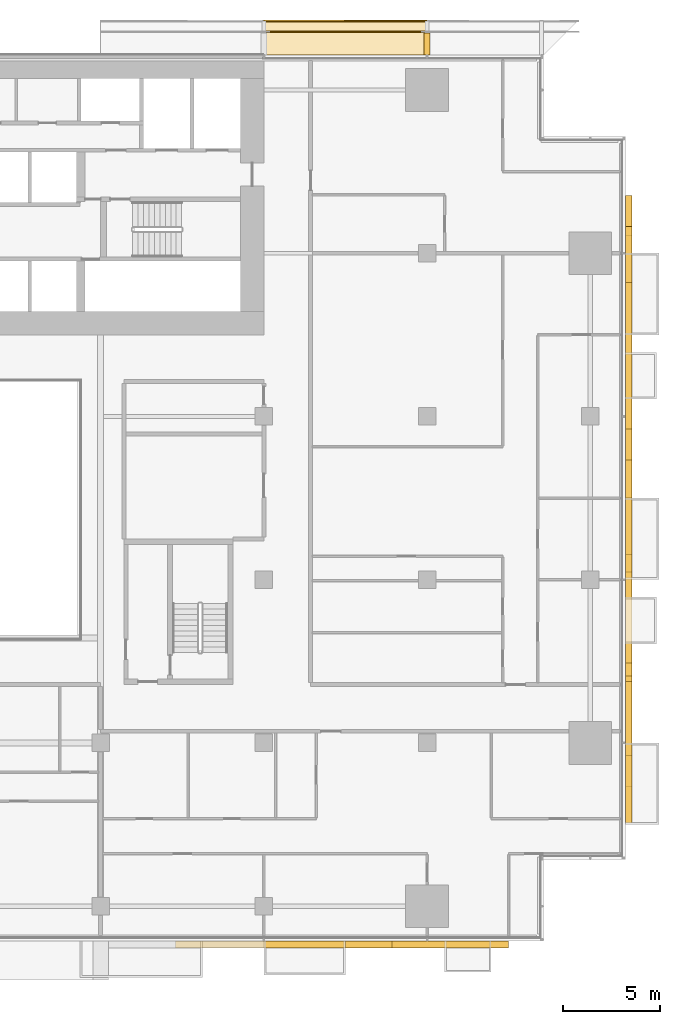
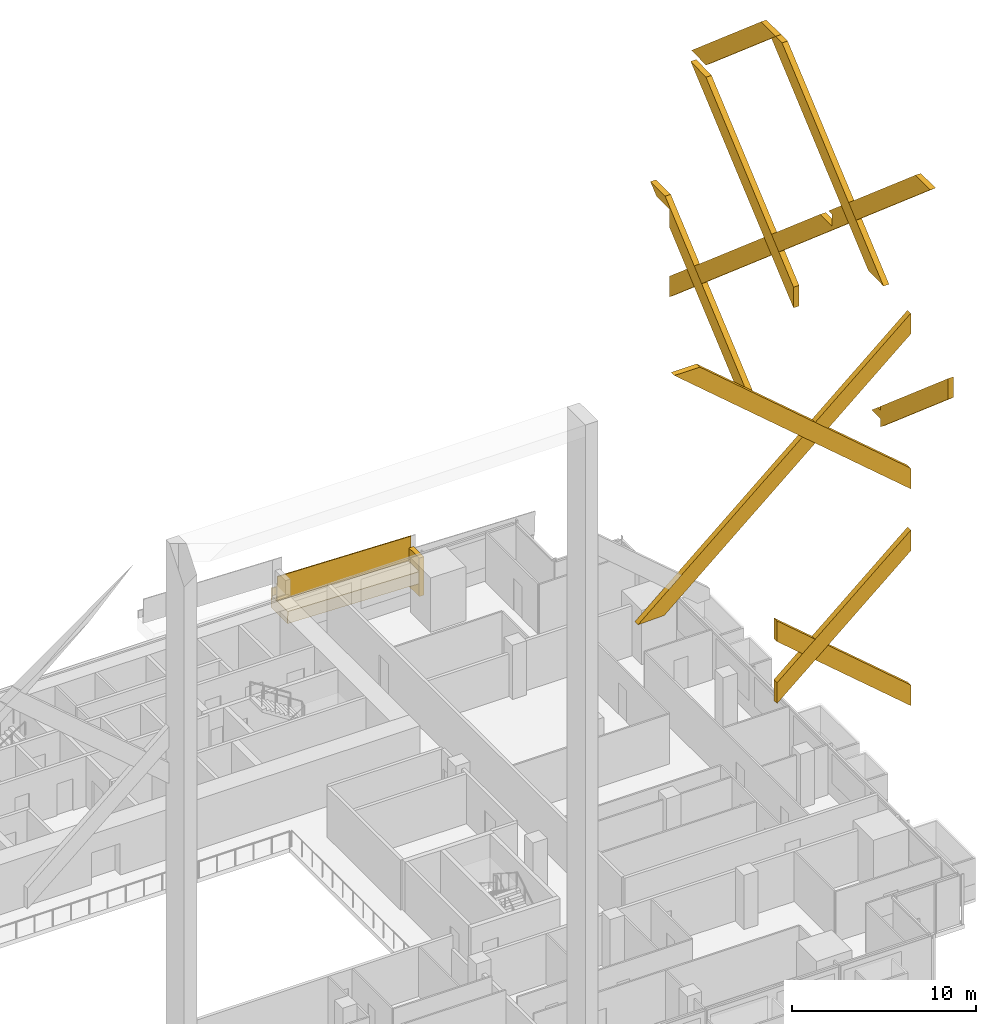
# One storey, part 29 of 30: 13 coverings, 1 railing.
"""IFC4 building model written with IfcOpenShell, lengths in metres."""

from ifc_helpers import new_model, si_unit, direction, frame, origin, origin_2d, place, context, subcontext, project, spatial, polyline, rectangle, outline, extrude, material, layer, layer_set, type_object, element, save


model = new_model("IFC4")

# Units and contexts
model_context = context("Model", 3, precision=1e-05, world=origin(), true_north=direction((0.0, 1.0)))
body_context = subcontext(model_context, "Body", "Model", "MODEL_VIEW")
ifc_project = project(units=[si_unit("LENGTHUNIT", "METRE"), si_unit("AREAUNIT", "SQUARE_METRE"), si_unit("VOLUMEUNIT", "CUBIC_METRE"), si_unit("PLANEANGLEUNIT", "RADIAN"), si_unit("MASSUNIT", "GRAM", prefix="KILO")], contexts=[model_context])

# Site, building, storey
site_placement = place(None, origin())
site = spatial("IfcSite", under=ifc_project, at=site_placement, CompositionType="ELEMENT")
building_placement = place(site_placement, origin())
building = spatial("IfcBuilding", under=site, at=building_placement, Name="Saffron Gate Tower", CompositionType="ELEMENT")
storey_placement = place(building_placement, frame((0.0, 0.0, 37.199951171875)))
storey = spatial("IfcBuildingStorey", under=building, at=storey_placement, Name="L07", CompositionType="ELEMENT", Elevation=37.199951171875)

# Coverings
ifc_material_1 = material(Name="Timber, thermally modified ash", Category="wood")
ifc_layer_1 = layer(ifc_material_1, 0.800048828125)
ifc_layer_set_1 = layer_set([ifc_layer_1], Name="LD1 ledge timber")
covering_type_1 = type_object("IfcCoveringType", Name="LD1 ledge timber", PredefinedType="CLADDING", material=ifc_layer_set_1)
covering_1_placement = place(storey_placement, frame((117.0, 75.60009765625, 1.93017578125), z_axis=(0.028820203882, 0.0, 0.99958461165), x_axis=(-0.99958461165, 0.0, 0.028820203882)))
element("IfcCovering", 1, at=covering_1_placement, inside=storey, type_object=covering_type_1, Name="LEDGE", PredefinedType="CLADDING", context=body_context, shape_type="SweptSolid", body=[
    extrude(outline(polyline([(0.0, 0.0), (8.40339301530596, 0.0), (8.40339301530596, -1.7998046875), (0.0, -1.7998046875), (0.0, 0.0)])), origin(), (0.0, 0.0, -1.0), 0.800048828125),
])
ifc_layer_2 = layer(ifc_material_1, 0.080078125)
ifc_layer_set_2 = layer_set([ifc_layer_2], Name="LD2 ledge planter trough")
covering_type_2 = type_object("IfcCoveringType", Name="LD2 ledge planter trough", PredefinedType="CLADDING", material=ifc_layer_set_2)
covering_2_placement = place(storey_placement, frame((117.0, 77.39990234375, 1.93017578125), z_axis=(0.0, 1.0, 0.0), x_axis=(-0.99958461165, 0.0, 0.028820203882)))
element("IfcCovering", 2, at=covering_2_placement, inside=storey, type_object=covering_type_2, Name="LEDGE planter trough", PredefinedType="CLADDING", context=body_context, shape_type="SweptSolid", body=[
    extrude(outline(polyline([(0.0, 0.0), (8.40339301530596, 0.0), (8.41780311724686, 0.49979230582518264), (0.014410101940899296, 0.49979230582518264), (0.0, 0.0)])), origin(), (0.0, 0.0, -1.0), 0.080078125),
])
ifc_layer_3 = layer(ifc_material_1, 0.300048828125)
ifc_layer_set_3 = layer_set([ifc_layer_3], Name="LD3 ledge riser fin")
covering_type_3 = type_object("IfcCoveringType", Name="LD3 ledge riser fin", PredefinedType="CLADDING", material=ifc_layer_set_3)
covering_3_placement = place(storey_placement, frame((117.0, 76.159912109375, 0.27294921875), z_axis=(0.0, 0.0, 1.0), x_axis=(-1.0, 0.0, 0.0)))
element("IfcCovering", 3, at=covering_3_placement, inside=storey, type_object=covering_type_3, Name="LEDGE riser fin", PredefinedType="CLADDING", context=body_context, shape_type="SweptSolid", body=[
    extrude(rectangle(XDim=0.300048828125, YDim=1.1201171875, at=origin_2d()), origin(), (0.0, 0.0, 1.0), 2.557373046875),
])

# Railing
railing_type = type_object("IfcRailingType", Name="LG1 ledge balustrade", PredefinedType="BALUSTRADE", material=ifc_material_1)
railing_placement = place(storey_placement, frame((117.0, 76.800048828125, 1.93017578125)))
element("IfcRailing", 4, at=railing_placement, inside=storey, type_object=railing_type, Name="LEDGE BALUSTRADE", PredefinedType="BALUSTRADE", context=body_context, shape_type="SweptSolid", body=[
    extrude(rectangle(XDim=0.06005859375, YDim=1.60009765625, at=origin_2d()), frame((0.0, 0.0, 0.800048828125), z_axis=(-0.99958461165, 0.0, 0.028820203882), x_axis=(0.0, -1.0, 0.0)), (0.0, 0.0, 1.0), 8.4033203125),
])

# Coverings
ifc_material_2 = material(Name="Ceramic-printed bronze insulated panel")
ifc_layer_4 = layer(ifc_material_2, 0.35009765625)
ifc_layer_set_4 = layer_set([ifc_layer_4], Name="LZ1 lozenge lattice bar 1600")
covering_type_4 = type_object("IfcCoveringType", Name="LZ1 lozenge lattice bar 1600", PredefinedType="CLADDING", material=ifc_layer_set_4)
covering_4_placement = place(storey_placement, frame((104.0625, 29.64990234375, 30.739501953125), z_axis=(0.0, -1.0, 0.0), x_axis=(0.999586900679, 0.0, 0.028740702688)))
element("IfcCovering", 5, at=covering_4_placement, inside=storey, type_object=covering_type_4, Name="CLADDING lozenge lattice bar", PredefinedType="CLADDING", context=body_context, shape_type="SweptSolid", body=[
    extrude(outline(polyline([(0.0, 0.0), (1.6564459954660578, -6.938893903907228e-18), (17.513129659205774, 12.819583061505876), (17.552549890578614, 14.190598493150024), (0.0, 0.0)])), origin(), (0.0, 0.0, -1.0), 0.35009765625),
])
covering_5_placement = place(storey_placement, frame((112.800048828125, 29.64990234375, 23.82861328125), z_axis=(0.0, -1.0, 0.0), x_axis=(0.0, 0.0, -1.0)))
element("IfcCovering", 6, at=covering_5_placement, inside=storey, type_object=covering_type_4, Name="CLADDING lozenge lattice bar", PredefinedType="CLADDING", context=body_context, shape_type="SweptSolid", body=[
    extrude(outline(polyline([(0.0, 0.0), (1.371337890625, 0.0), (-5.82861328125, 8.39990234375), (-7.199951171875, 8.39990234375), (0.0, 0.0)])), origin(), (0.0, 0.0, -1.0), 0.35009765625),
])
covering_6_placement = place(storey_placement, frame((121.199951171875, 29.64990234375, 20.742919921875), z_axis=(0.0, -1.0, 0.0), x_axis=(-0.759255044656, 0.0, 0.650793190779)))
element("IfcCovering", 7, at=covering_6_placement, inside=storey, type_object=covering_type_4, Name="CLADDING lozenge lattice bar", PredefinedType="CLADDING", context=body_context, shape_type="SweptSolid", body=[
    extrude(outline(polyline([(0.0, 0.0), (11.06334742570805, 0.0), (10.170890064231838, 1.0411952113848493), (-0.892457361476213, 1.041195211384849), (0.0, 0.0)])), origin(), (0.0, 0.0, -1.0), 0.35009765625),
])
covering_7_placement = place(storey_placement, frame((121.199951171875, 29.64990234375, 35.142822265625), z_axis=(0.0, -1.0, 0.0), x_axis=(-0.759255614848, 0.0, 0.650792525558)))
element("IfcCovering", 8, at=covering_7_placement, inside=storey, type_object=covering_type_4, Name="CLADDING lozenge lattice bar", PredefinedType="CLADDING", context=body_context, shape_type="SweptSolid", body=[
    extrude(outline(polyline([(0.0, 0.0), (17.451303277697722, 0.0), (18.666001042369647, 1.0411727099567596), (-0.8924564492334989, 1.0411959933102701), (0.0, 0.0)])), origin(), (0.0, 0.0, -1.0), 0.35009765625),
])
covering_8_placement = place(storey_placement, frame((127.550048828125, 43.0126953125, 37.03955078125), z_axis=(1.0, 0.0, 0.0), x_axis=(0.0, 0.999586900679, 0.028740702688)))
element("IfcCovering", 9, at=covering_8_placement, inside=storey, type_object=covering_type_4, Name="CLADDING lozenge lattice bar", PredefinedType="CLADDING", context=body_context, shape_type="SweptSolid", body=[
    extrude(outline(polyline([(0.0, 0.0), (1.6564459954660578, -6.938893903907228e-18), (12.903886567899956, 9.093338903504753), (11.304693950676016, 9.139319817742246), (0.0, 0.0)])), origin(), (0.0, 0.0, -1.0), 0.35009765625),
])
covering_9_placement = place(storey_placement, frame((127.550048828125, 52.800048828125, 31.028564453125), z_axis=(1.0, 0.0, 0.0), x_axis=(0.0, 0.0, -1.0)))
element("IfcCovering", 10, at=covering_9_placement, inside=storey, type_object=covering_type_4, Name="CLADDING lozenge lattice bar", PredefinedType="CLADDING", context=body_context, shape_type="SweptSolid", body=[
    extrude(outline(polyline([(0.0, 0.0), (1.371337890625, 0.0), (-8.2158203125, 11.18505859375), (-8.168212890625, 9.529296875), (0.0, 0.0)])), origin(), (0.0, 0.0, -1.0), 0.35009765625),
])
covering_10_placement = place(storey_placement, frame((127.550048828125, 57.68994140625, 20.820068359375), z_axis=(1.0, 0.0, 0.0), x_axis=(0.0, 1.0, 0.0)))
element("IfcCovering", 11, at=covering_10_placement, inside=storey, type_object=covering_type_4, Name="CLADDING lozenge lattice bar", PredefinedType="CLADDING", context=body_context, shape_type="SweptSolid", body=[
    extrude(outline(polyline([(0.0, 0.0), (0.360107421875, 0.0), (1.60009765625, 0.0), (8.610107421875, 6.008544921875), (8.610107421875, 7.199951171875), (10.0, 7.199951171875), (10.6767578125, 7.780029296875), (9.07666015625, 7.780029296875), (0.0, 0.0)])), origin(), (0.0, 0.0, -1.0), 0.35009765625),
])
covering_11_placement = place(storey_placement, frame((127.550048828125, 43.35009765625, 27.471435546875), z_axis=(1.0, 0.0, 0.0), x_axis=(0.0, 0.0, 1.0)))
element("IfcCovering", 12, at=covering_11_placement, inside=storey, type_object=covering_type_4, Name="CLADDING lozenge lattice bar", PredefinedType="CLADDING", context=body_context, shape_type="SweptSolid", body=[
    extrude(outline(polyline([(0.0, 0.0), (0.548583984375, 0.0), (0.548583984375, -0.9599609375), (1.128662109375, -0.283203125), (1.128662109375, 0.0), (1.37158203125, 0.0), (7.67138671875, 7.35009765625), (6.300048828125, 7.35009765625), (0.0, 0.0)])), origin(), (0.0, 0.0, -1.0), 0.35009765625),
])
covering_12_placement = place(storey_placement, frame((127.550048828125, 66.300048828125, 22.199951171875), z_axis=(1.0, 0.0, 0.0), x_axis=(0.0, 0.0, 1.0)))
element("IfcCovering", 13, at=covering_12_placement, inside=storey, type_object=covering_type_4, Name="CLADDING lozenge lattice bar", PredefinedType="CLADDING", context=body_context, shape_type="SweptSolid", body=[
    extrude(outline(polyline([(0.0, 0.0), (1.37158203125, 0.0), (15.43798828125, 16.410888671875), (15.40087890625, 17.699951171875), (16.200927734375, 17.699951171875), (16.2119140625, 17.31396484375), (24.300048828125, 26.75), (24.300048828125, 28.35009765625), (0.0, 0.0)])), origin(), (0.0, 0.0, -1.0), 0.35009765625),
])
covering_13_placement = place(storey_placement, frame((127.550048828125, 62.3369140625, 39.996826171875), z_axis=(1.0, 0.0, 0.0), x_axis=(0.0, 0.999583815893, 0.028847790303)))
element("IfcCovering", 14, at=covering_13_placement, inside=storey, type_object=covering_type_4, Name="CLADDING lozenge lattice bar", PredefinedType="CLADDING", context=body_context, shape_type="SweptSolid", body=[
    extrude(outline(polyline([(0.0, 0.0), (1.548740264209261, 0.0), (-5.796722593513867, 6.673173734798159), (-7.396154314549247, 6.719333016449235), (0.0, 0.0)])), origin(), (0.0, 0.0, -1.0), 0.35009765625),
])

save(model, "model.ifc")
